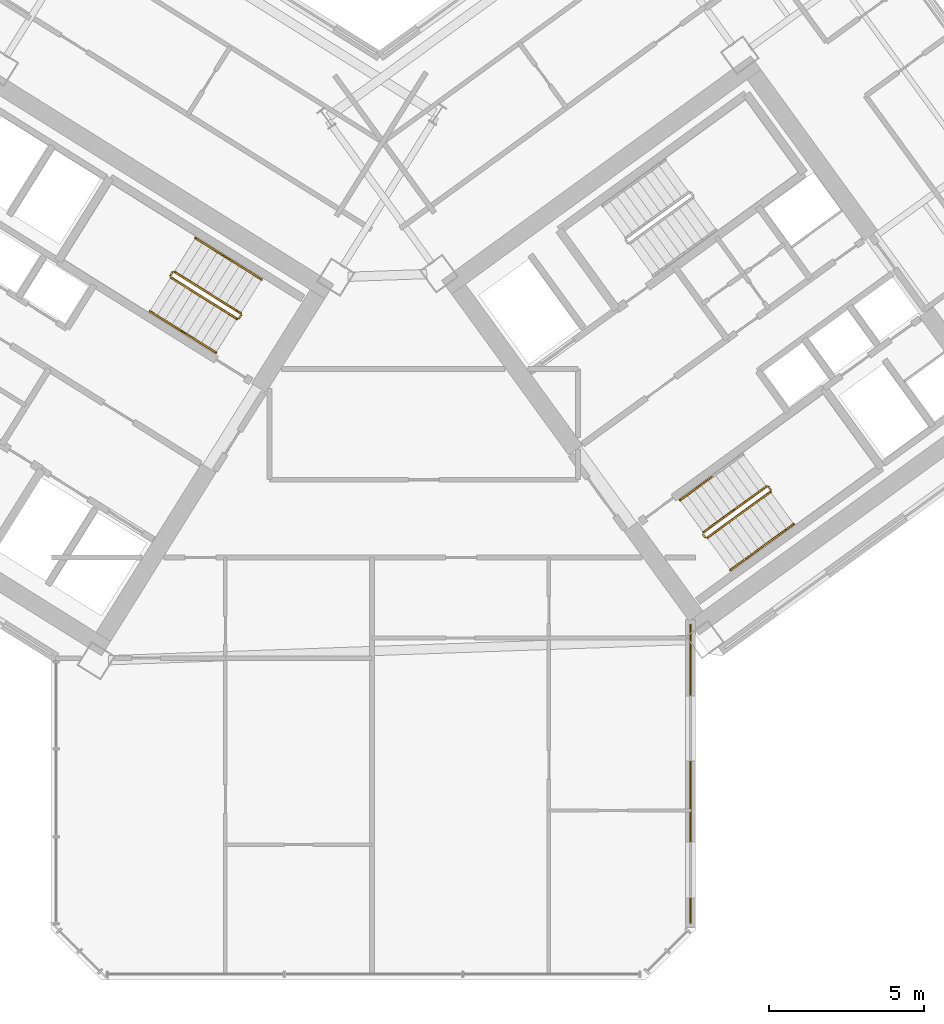
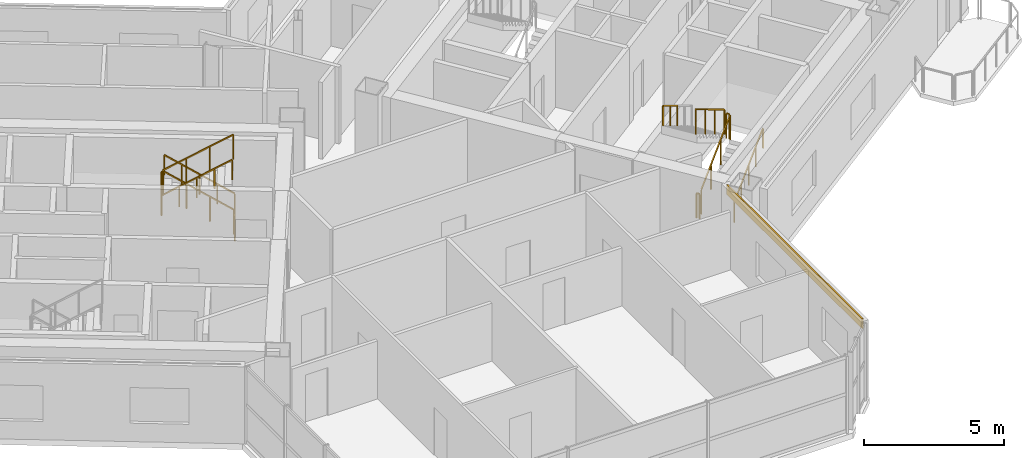
# One storey, part 19 of 21: 15 railings, 1 covering.
"""IFC4 building model written with IfcOpenShell, lengths in metres."""

from ifc_helpers import new_model, si_unit, direction, frame, origin, origin_2d, place, context, subcontext, project, spatial, rectangle, extrude, source, transform, mapped, material, layer, layer_set, type_object, element, save


model = new_model("IFC4")

# Units and contexts
model_context = context("Model", 3, precision=1e-05, world=origin(), true_north=direction((0.0, 1.0)))
body_context = subcontext(model_context, "Body", "Model", "MODEL_VIEW")
ifc_project = project(units=[si_unit("LENGTHUNIT", "METRE"), si_unit("AREAUNIT", "SQUARE_METRE"), si_unit("VOLUMEUNIT", "CUBIC_METRE"), si_unit("PLANEANGLEUNIT", "RADIAN"), si_unit("MASSUNIT", "GRAM", prefix="KILO")], contexts=[model_context])

# Site, building, storey
site_placement = place(None, origin())
site = spatial("IfcSite", under=ifc_project, at=site_placement, CompositionType="ELEMENT")
building_placement = place(site_placement, origin())
building = spatial("IfcBuilding", under=site, at=building_placement, Name="Tlacorven Tower", CompositionType="ELEMENT")
storey_placement = place(building_placement, frame((0.0, 0.0, 105.300048828125)))
storey = spatial("IfcBuildingStorey", under=building, at=storey_placement, Name="L26", CompositionType="ELEMENT", Elevation=105.300048828125)

# Covering
ifc_material_1 = material(Name="Precast concrete C45/55", Category="concrete")
ifc_layer = layer(ifc_material_1, 0.06005859375)
ifc_layer_set = layer_set([ifc_layer], Name="Precast concrete C45/55")
covering_type = type_object("IfcCoveringType", Name="CV-CLD-TERC", PredefinedType="CLADDING", material=ifc_layer_set)
shared_shape_1 = source(origin(), body_context, "Body", "SweptSolid", [
    extrude(rectangle(XDim=9.647705078125, YDim=0.06005859375, at=origin_2d()), origin(), (0.0, 0.0, 1.0), 0.419921875),
])
covering_placement = place(storey_placement, frame((52.239990234375, 8.440185546875, 2.929931640625), z_axis=(0.0, 0.0, 1.0), x_axis=(0.0, -1.0, 0.0)))
element("IfcCovering", 1, at=covering_placement, inside=storey, type_object=covering_type, Name="L26 Masonry-Frame Spandrel Cladding 7", PredefinedType="CLADDING", context=body_context, shape_type="MappedRepresentation", body=[
    mapped(shared_shape_1, transform((0.0, 0.0, 0.0), scale=1.0)),
])

# Railings
ifc_material_2 = material(Name="Aluminium and painted steel balustrade", Category="steel")
railing_type_1 = type_object("IfcRailingType", Name="RL-GRD-1100", PredefinedType="GUARDRAIL", material=ifc_material_2)
shared_shape_2 = source(origin(), body_context, "Body", "SweptSolid", [
    extrude(rectangle(XDim=0.048095703125, YDim=0.048095703125, at=origin_2d()), frame((0.0, 0.0, 1.076171875), z_axis=(-0.713319727316, 0.445773895627, 0.540796265334), x_axis=(-0.529955395941, -0.84802551749, 0.0)), (0.0, 0.0, 1.0), 2.995849609375),
    extrude(rectangle(XDim=0.0419921875, YDim=0.0419921875, at=origin_2d()), origin(), (0.0, 0.0, 1.0), 1.052001953125),
    extrude(rectangle(XDim=0.0419921875, YDim=0.0419921875, at=origin_2d()), frame((-0.71240234375, 0.445068359375, 0.5400390625)), (0.0, 0.0, 1.0), 1.052001953125),
    extrude(rectangle(XDim=0.0419921875, YDim=0.0419921875, at=origin_2d()), frame((-1.424560546875, 0.890380859375, 1.080078125)), (0.0, 0.0, 1.0), 1.052001953125),
    extrude(rectangle(XDim=0.0419921875, YDim=0.0419921875, at=origin_2d()), frame((-2.136962890625, 1.33544921875, 1.6201171875)), (0.0, 0.0, 1.0), 1.052001953125),
])
railing_1_placement = place(storey_placement, frame((37.712158203125, 23.3095703125, 0.179931640625)))
element("IfcRailing", 2, at=railing_1_placement, inside=storey, type_object=railing_type_1, Name="L26 ST-W2 stair guard 1", PredefinedType="GUARDRAIL", context=body_context, shape_type="MappedRepresentation", body=[
    mapped(shared_shape_2, transform((0.0, 0.0, 0.0), scale=1.0)),
])
shared_shape_3 = source(origin(), body_context, "Body", "SweptSolid", [
    extrude(rectangle(XDim=0.048095703125, YDim=0.048095703125, at=origin_2d()), frame((0.0, 0.0, 1.076171875), z_axis=(-0.530546985787, -0.847655529016, 0.0), x_axis=(0.847655529016, -0.530546985787, 0.0)), (0.0, 0.0, 1.0), 0.1201171875),
    extrude(rectangle(XDim=0.0419921875, YDim=0.0419921875, at=origin_2d()), origin(), (0.0, 0.0, 1.0), 1.052001953125),
    extrude(rectangle(XDim=0.0419921875, YDim=0.0419921875, at=origin_2d()), frame((-0.063720703125, -0.101806640625, 0.0)), (0.0, 0.0, 1.0), 1.052001953125),
])
railing_2_placement = place(storey_placement, frame((37.728271484375, 23.24072265625, 0.0)))
element("IfcRailing", 3, at=railing_2_placement, inside=storey, type_object=railing_type_1, Name="L26 ST-W2 stair guard 4", PredefinedType="GUARDRAIL", context=body_context, shape_type="MappedRepresentation", body=[
    mapped(shared_shape_3, transform((0.0, 0.0, 0.0), scale=1.0)),
])
railing_type_2 = type_object("IfcRailingType", Name="RL-HND-0900", PredefinedType="HANDRAIL", material=ifc_material_2)
shared_shape_4 = source(origin(), body_context, "Body", "SweptSolid", [
    extrude(rectangle(XDim=0.048095703125, YDim=0.048095703125, at=origin_2d()), frame((0.0, 0.0, 0.8759765625), z_axis=(-0.713359751793, 0.4457479829, 0.540764828981), x_axis=(-0.529911857636, -0.848052724267, 0.0)), (0.0, 0.0, 1.0), 1.498046875),
    extrude(rectangle(XDim=0.0419921875, YDim=0.0419921875, at=origin_2d()), origin(), (0.0, 0.0, 1.0), 0.851806640625),
    extrude(rectangle(XDim=0.0419921875, YDim=0.0419921875, at=origin_2d()), frame((-0.5341796875, 0.333984375, 0.405029296875)), (0.0, 0.0, 1.0), 0.851806640625),
    extrude(rectangle(XDim=0.0419921875, YDim=0.0419921875, at=origin_2d()), frame((-1.068603515625, 0.667724609375, 0.81005859375)), (0.0, 0.0, 1.0), 0.851806640625),
])
for number, where, name in (
    (4, (38.390625, 24.39501953125, 0.179931640625), "L26 ST-W2 stair handrail 1"),
    (5, (37.322021484375, 25.062744140625, 0.989990234375), "L26 ST-W2 stair handrail 2"),
):
    element("IfcRailing", number, at=place(storey_placement, frame(where)), inside=storey, type_object=railing_type_2, Name=name, PredefinedType="HANDRAIL", context=body_context, shape_type="MappedRepresentation", body=[
        mapped(shared_shape_4, transform((0.0, 0.0, 0.0), scale=1.0)),
    ])
shared_shape_5 = source(origin(), body_context, "Body", "SweptSolid", [
    extrude(rectangle(XDim=0.048095703125, YDim=0.048095703125, at=origin_2d()), frame((0.0, 0.0, 0.8759765625), z_axis=(0.713359751793, -0.4457479829, 0.540764828981), x_axis=(0.529911857636, 0.848052724267, 0.0)), (0.0, 0.0, 1.0), 1.498046875),
    extrude(rectangle(XDim=0.0419921875, YDim=0.0419921875, at=origin_2d()), origin(), (0.0, 0.0, 1.0), 0.851806640625),
    extrude(rectangle(XDim=0.0419921875, YDim=0.0419921875, at=origin_2d()), frame((0.5341796875, -0.333984375, 0.405029296875)), (0.0, 0.0, 1.0), 0.851806640625),
    extrude(rectangle(XDim=0.0419921875, YDim=0.0419921875, at=origin_2d()), frame((1.068603515625, -0.667724609375, 0.81005859375)), (0.0, 0.0, 1.0), 0.851806640625),
])
railing_3_placement = place(storey_placement, frame((34.7802734375, 23.372802734375, 1.97998046875)))
element("IfcRailing", 6, at=railing_3_placement, inside=storey, type_object=railing_type_2, Name="L26 ST-W2 stair handrail 3", PredefinedType="HANDRAIL", context=body_context, shape_type="MappedRepresentation", body=[
    mapped(shared_shape_5, transform((0.0, 0.0, 0.0), scale=1.0)),
])
shared_shape_6 = source(origin(), body_context, "Body", "SweptSolid", [
    extrude(rectangle(XDim=0.048095703125, YDim=0.048095703125, at=origin_2d()), frame((0.0, 0.0, 0.8759765625), z_axis=(0.713422621445, -0.445787267455, 0.540649494022), x_axis=(0.529911857636, 0.848052724267, 0.0)), (0.0, 0.0, 1.0), 1.497802734375),
    extrude(rectangle(XDim=0.0419921875, YDim=0.0419921875, at=origin_2d()), origin(), (0.0, 0.0, 1.0), 0.851806640625),
    extrude(rectangle(XDim=0.0419921875, YDim=0.0419921875, at=origin_2d()), frame((0.5341796875, -0.333984375, 0.40478515625)), (0.0, 0.0, 1.0), 0.851806640625),
    extrude(rectangle(XDim=0.0419921875, YDim=0.0419921875, at=origin_2d()), frame((1.068603515625, -0.667724609375, 0.809814453125)), (0.0, 0.0, 1.0), 0.851806640625),
])
railing_4_placement = place(storey_placement, frame((35.848876953125, 22.705078125, 2.7900390625)))
element("IfcRailing", 7, at=railing_4_placement, inside=storey, type_object=railing_type_2, Name="L26 ST-W2 stair handrail 4", PredefinedType="HANDRAIL", context=body_context, shape_type="MappedRepresentation", body=[
    mapped(shared_shape_6, transform((0.0, 0.0, 0.0), scale=1.0)),
])
shared_shape_7 = source(origin(), body_context, "Body", "SweptSolid", [
    extrude(rectangle(XDim=0.048095703125, YDim=0.048095703125, at=origin_2d()), frame((0.0, 0.0, 1.076171875), z_axis=(-0.531462422766, -0.847081869236, 0.0), x_axis=(0.847081869236, -0.531462422766, 0.0)), (0.0, 0.0, 1.0), 0.119873046875),
    extrude(rectangle(XDim=0.0419921875, YDim=0.0419921875, at=origin_2d()), origin(), (0.0, 0.0, 1.0), 1.052001953125),
    extrude(rectangle(XDim=0.0419921875, YDim=0.0419921875, at=origin_2d()), frame((-0.063720703125, -0.1015625, 0.0)), (0.0, 0.0, 1.0), 1.052001953125),
])
railing_5_placement = place(storey_placement, frame((35.50634765625, 24.62890625, 1.800048828125)))
element("IfcRailing", 8, at=railing_5_placement, inside=storey, type_object=railing_type_1, Name="L26 ST-W2 stair guard 2", PredefinedType="GUARDRAIL", context=body_context, shape_type="MappedRepresentation", body=[
    mapped(shared_shape_7, transform((0.0, 0.0, 0.0), scale=1.0)),
])
shared_shape_8 = source(origin(), body_context, "Body", "SweptSolid", [
    extrude(rectangle(XDim=0.048095703125, YDim=0.048095703125, at=origin_2d()), frame((0.0, 0.0, 1.076171875), z_axis=(0.713417101326, -0.445702322042, 0.540726806865), x_axis=(0.52984217967, 0.848096259066, 0.0)), (0.0, 0.0, 1.0), 2.995849609375),
    extrude(rectangle(XDim=0.0419921875, YDim=0.0419921875, at=origin_2d()), origin(), (0.0, 0.0, 1.0), 1.052001953125),
    extrude(rectangle(XDim=0.0419921875, YDim=0.0419921875, at=origin_2d()), frame((0.71240234375, -0.445068359375, 0.5400390625)), (0.0, 0.0, 1.0), 1.052001953125),
    extrude(rectangle(XDim=0.0419921875, YDim=0.0419921875, at=origin_2d()), frame((1.4248046875, -0.89013671875, 1.079833984375)), (0.0, 0.0, 1.0), 1.052001953125),
    extrude(rectangle(XDim=0.0419921875, YDim=0.0419921875, at=origin_2d()), frame((2.13720703125, -1.335205078125, 1.619873046875)), (0.0, 0.0, 1.0), 1.052001953125),
])
railing_6_placement = place(storey_placement, frame((35.45849609375, 24.458251953125, 1.97998046875)))
element("IfcRailing", 9, at=railing_6_placement, inside=storey, type_object=railing_type_1, Name="L26 ST-W2 stair guard 3", PredefinedType="GUARDRAIL", context=body_context, shape_type="MappedRepresentation", body=[
    mapped(shared_shape_8, transform((0.0, 0.0, 0.0), scale=1.0)),
])
shared_shape_9 = source(origin(), body_context, "Body", "SweptSolid", [
    extrude(rectangle(XDim=0.048095703125, YDim=0.048095703125, at=origin_2d()), frame((0.0, 0.0, 1.076171875), z_axis=(-0.587567097037, 0.809175448515, 0.0), x_axis=(-0.809175448515, -0.587567097037, 0.0)), (0.0, 0.0, 1.0), 0.1201171875),
    extrude(rectangle(XDim=0.0419921875, YDim=0.0419921875, at=origin_2d()), origin(), (0.0, 0.0, 1.0), 1.052001953125),
    extrude(rectangle(XDim=0.0419921875, YDim=0.0419921875, at=origin_2d()), frame((-0.070556640625, 0.09716796875, 0.0)), (0.0, 0.0, 1.0), 1.052001953125),
])
for number, where, name in (
    (10, (54.8310546875, 17.605712890625, 1.800048828125), "L26 ST-E2 stair guard 2"),
    (11, (52.71142578125, 16.065673828125, 0.0), "L26 ST-E2 stair guard 4"),
):
    element("IfcRailing", number, at=place(storey_placement, frame(where)), inside=storey, type_object=railing_type_1, Name=name, PredefinedType="GUARDRAIL", context=body_context, shape_type="MappedRepresentation", body=[
        mapped(shared_shape_9, transform((0.0, 0.0, 0.0), scale=1.0)),
    ])
shared_shape_10 = source(origin(), body_context, "Body", "SweptSolid", [
    extrude(rectangle(XDim=0.048095703125, YDim=0.048095703125, at=origin_2d()), frame((0.0, 0.0, 0.8759765625), z_axis=(0.680516055757, 0.494372502302, 0.540826891737), x_axis=(-0.587745292299, 0.809046025502, 0.0)), (0.0, 0.0, 1.0), 1.497802734375),
    extrude(rectangle(XDim=0.0419921875, YDim=0.0419921875, at=origin_2d()), origin(), (0.0, 0.0, 1.0), 0.851806640625),
    extrude(rectangle(XDim=0.0419921875, YDim=0.0419921875, at=origin_2d()), frame((0.509765625, 0.3701171875, 0.405029296875)), (0.0, 0.0, 1.0), 0.851806640625),
    extrude(rectangle(XDim=0.0419921875, YDim=0.0419921875, at=origin_2d()), frame((1.019287109375, 0.740478515625, 0.81005859375)), (0.0, 0.0, 1.0), 0.851806640625),
])
railing_7_placement = place(storey_placement, frame((54.552978515625, 15.759765625, 0.989990234375)))
element("IfcRailing", 12, at=railing_7_placement, inside=storey, type_object=railing_type_2, Name="L26 ST-E2 stair handrail 2", PredefinedType="HANDRAIL", context=body_context, shape_type="MappedRepresentation", body=[
    mapped(shared_shape_10, transform((0.0, 0.0, 0.0), scale=1.0)),
])
shared_shape_11 = source(origin(), body_context, "Body", "SweptSolid", [
    extrude(rectangle(XDim=0.048095703125, YDim=0.048095703125, at=origin_2d()), frame((0.0, 0.0, 0.8759765625), z_axis=(-0.680521190579, -0.494539231669, 0.540667973449), x_axis=(0.587872112667, -0.808953879494, 0.0)), (0.0, 0.0, 1.0), 1.497802734375),
    extrude(rectangle(XDim=0.0419921875, YDim=0.0419921875, at=origin_2d()), origin(), (0.0, 0.0, 1.0), 0.851806640625),
    extrude(rectangle(XDim=0.0419921875, YDim=0.0419921875, at=origin_2d()), frame((-0.509765625, -0.370361328125, 0.40478515625)), (0.0, 0.0, 1.0), 0.851806640625),
    extrude(rectangle(XDim=0.0419921875, YDim=0.0419921875, at=origin_2d()), frame((-1.019287109375, -0.74072265625, 0.809814453125)), (0.0, 0.0, 1.0), 0.851806640625),
])
railing_8_placement = place(storey_placement, frame((52.9189453125, 18.0087890625, 2.7900390625)))
element("IfcRailing", 13, at=railing_8_placement, inside=storey, type_object=railing_type_2, Name="L26 ST-E2 stair handrail 4", PredefinedType="HANDRAIL", context=body_context, shape_type="MappedRepresentation", body=[
    mapped(shared_shape_11, transform((0.0, 0.0, 0.0), scale=1.0)),
])
shared_shape_12 = source(origin(), body_context, "Body", "SweptSolid", [
    extrude(rectangle(XDim=0.048095703125, YDim=0.048095703125, at=origin_2d()), frame((0.0, 0.0, 1.076171875), z_axis=(0.680532390839, 0.494406659708, 0.54077511024), x_axis=(-0.587762637553, 0.809033424462, 0.0)), (0.0, 0.0, 1.0), 2.995849609375),
    extrude(rectangle(XDim=0.0419921875, YDim=0.0419921875, at=origin_2d()), origin(), (0.0, 0.0, 1.0), 1.052001953125),
    extrude(rectangle(XDim=0.0419921875, YDim=0.0419921875, at=origin_2d()), frame((0.6796875, 0.49365234375, 0.5400390625)), (0.0, 0.0, 1.0), 1.052001953125),
    extrude(rectangle(XDim=0.0419921875, YDim=0.0419921875, at=origin_2d()), frame((1.359130859375, 0.987548828125, 1.080078125)), (0.0, 0.0, 1.0), 1.052001953125),
    extrude(rectangle(XDim=0.0419921875, YDim=0.0419921875, at=origin_2d()), frame((2.038818359375, 1.481201171875, 1.6201171875)), (0.0, 0.0, 1.0), 1.052001953125),
])
railing_9_placement = place(storey_placement, frame((52.78125, 16.0546875, 0.179931640625)))
element("IfcRailing", 14, at=railing_9_placement, inside=storey, type_object=railing_type_1, Name="L26 ST-E2 stair guard 1", PredefinedType="GUARDRAIL", context=body_context, shape_type="MappedRepresentation", body=[
    mapped(shared_shape_12, transform((0.0, 0.0, 0.0), scale=1.0)),
])
shared_shape_13 = source(origin(), body_context, "Body", "SweptSolid", [
    extrude(rectangle(XDim=0.048095703125, YDim=0.048095703125, at=origin_2d()), frame((0.0, 0.0, 0.8759765625), z_axis=(0.680461216233, 0.494495647917, 0.540783309093), x_axis=(-0.587872112667, 0.808953879494, 0.0)), (0.0, 0.0, 1.0), 1.498046875),
    extrude(rectangle(XDim=0.0419921875, YDim=0.0419921875, at=origin_2d()), origin(), (0.0, 0.0, 1.0), 0.851806640625),
    extrude(rectangle(XDim=0.0419921875, YDim=0.0419921875, at=origin_2d()), frame((0.509765625, 0.370361328125, 0.405029296875)), (0.0, 0.0, 1.0), 0.851806640625),
    extrude(rectangle(XDim=0.0419921875, YDim=0.0419921875, at=origin_2d()), frame((1.019287109375, 0.74072265625, 0.81005859375)), (0.0, 0.0, 1.0), 0.851806640625),
])
railing_10_placement = place(storey_placement, frame((53.53369140625, 15.01904296875, 0.179931640625)))
element("IfcRailing", 15, at=railing_10_placement, inside=storey, type_object=railing_type_2, Name="L26 ST-E2 stair handrail 1", PredefinedType="HANDRAIL", context=body_context, shape_type="MappedRepresentation", body=[
    mapped(shared_shape_13, transform((0.0, 0.0, 0.0), scale=1.0)),
])
shared_shape_14 = source(origin(), body_context, "Body", "SweptSolid", [
    extrude(rectangle(XDim=0.048095703125, YDim=0.048095703125, at=origin_2d()), frame((0.0, 0.0, 1.076171875), z_axis=(-0.680562380517, -0.494428447203, 0.540717446381), x_axis=(0.587762637553, -0.809033424462, 0.0)), (0.0, 0.0, 1.0), 2.995849609375),
    extrude(rectangle(XDim=0.0419921875, YDim=0.0419921875, at=origin_2d()), origin(), (0.0, 0.0, 1.0), 1.052001953125),
    extrude(rectangle(XDim=0.0419921875, YDim=0.0419921875, at=origin_2d()), frame((-0.6796875, -0.49365234375, 0.5400390625)), (0.0, 0.0, 1.0), 1.052001953125),
    extrude(rectangle(XDim=0.0419921875, YDim=0.0419921875, at=origin_2d()), frame((-1.359130859375, -0.987548828125, 1.079833984375)), (0.0, 0.0, 1.0), 1.052001953125),
    extrude(rectangle(XDim=0.0419921875, YDim=0.0419921875, at=origin_2d()), frame((-2.038818359375, -1.481201171875, 1.619873046875)), (0.0, 0.0, 1.0), 1.052001953125),
])
railing_11_placement = place(storey_placement, frame((54.690673828125, 17.7138671875, 1.97998046875)))
element("IfcRailing", 16, at=railing_11_placement, inside=storey, type_object=railing_type_1, Name="L26 ST-E2 stair guard 3", PredefinedType="GUARDRAIL", context=body_context, shape_type="MappedRepresentation", body=[
    mapped(shared_shape_14, transform((0.0, 0.0, 0.0), scale=1.0)),
])

save(model, "model.ifc")
